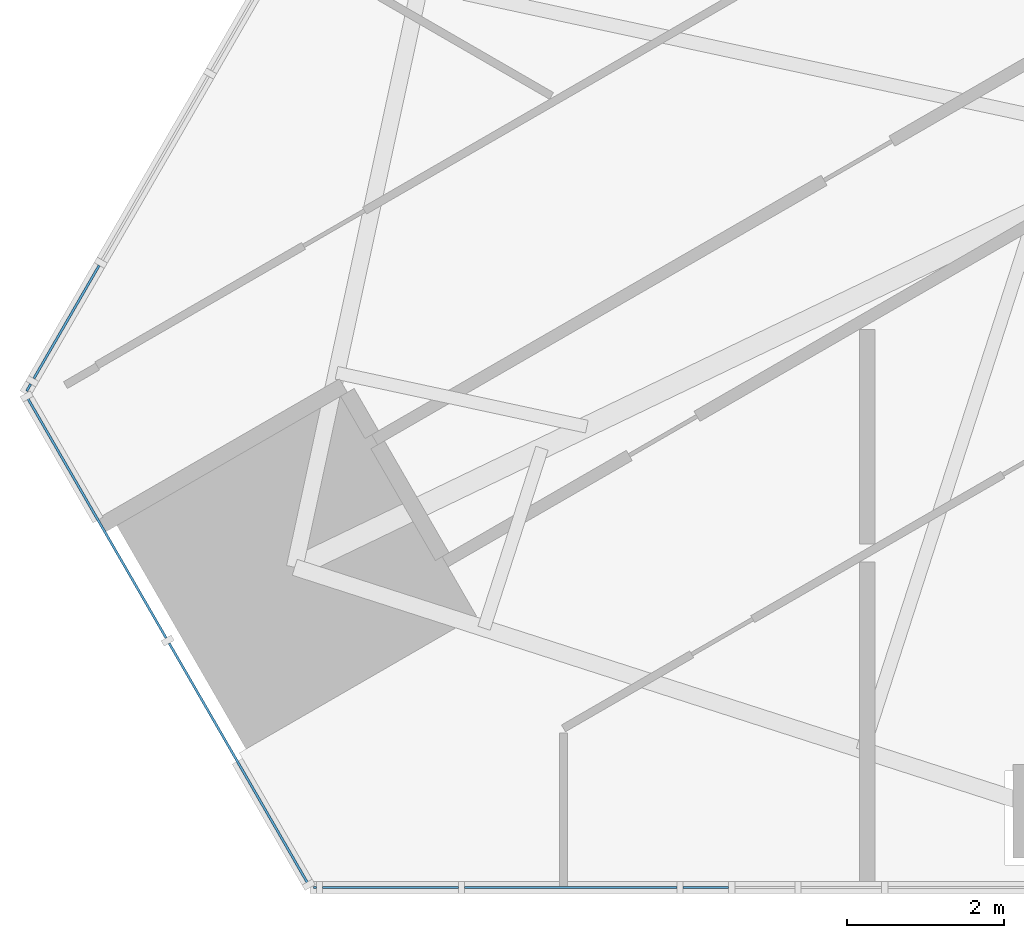
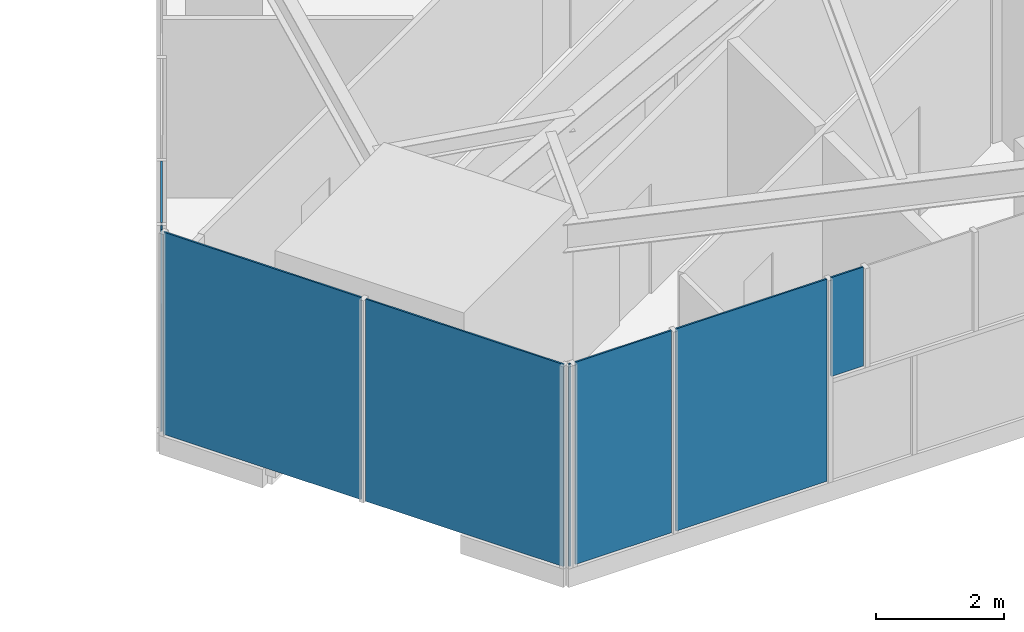
# One storey, part 12 of 29: 8 plates, 3 elements without a shape of their own.
"""IFC4 building model written with IfcOpenShell, lengths in metres."""

from ifc_helpers import new_model, si_unit, direction, frame, origin, place, context, subcontext, project, spatial, polyline, outline, extrude, material, layer, layer_set, type_object, element, aggregate, save


model = new_model("IFC4")

# Units and contexts
model_context = context("Model", 3, precision=1e-05, world=origin(), true_north=direction((0.0, 1.0)))
body_context = subcontext(model_context, "Body", "Model", "MODEL_VIEW")
ifc_project = project(units=[si_unit("LENGTHUNIT", "METRE"), si_unit("AREAUNIT", "SQUARE_METRE"), si_unit("VOLUMEUNIT", "CUBIC_METRE"), si_unit("PLANEANGLEUNIT", "RADIAN"), si_unit("MASSUNIT", "GRAM", prefix="KILO")], contexts=[model_context])

# Site, building, storey
site_placement = place(None, origin())
site = spatial("IfcSite", under=ifc_project, at=site_placement, CompositionType="ELEMENT")
building_placement = place(site_placement, origin())
building = spatial("IfcBuilding", under=site, at=building_placement, Name="Firuza Gate Tower and Library", CompositionType="ELEMENT")
storey_placement = place(building_placement, frame((0.0, 0.0, 82.0)))
storey = spatial("IfcBuildingStorey", under=building, at=storey_placement, Name="L18", CompositionType="ELEMENT", Elevation=82.0)

# Curtain wall, plates
ifc_material_1 = material(Name="Aluminium 6063-T6", Category="aluminium")
ifc_layer_1 = layer(ifc_material_1, 0.14990234375)
ifc_layer_set_1 = layer_set([ifc_layer_1], Name="Corner curtain wall, chamfers")
curtain_wall_type_1 = type_object("IfcCurtainWallType", Name="Corner curtain wall, chamfers", PredefinedType="NOTDEFINED", material=ifc_layer_set_1)
placement = place(storey_placement, origin())
curtain_wall_1 = element("IfcCurtainWall", 1, at=placement, inside=storey, type_object=curtain_wall_type_1, Name="CW4 L18 SW corner", PredefinedType="NOTDEFINED")
ifc_material_2 = material(Name="Fritted glass", Category="glass")
ifc_layer_2 = layer(ifc_material_2, 0.030029296875)
ifc_layer_set_2 = layer_set([ifc_layer_2], Name="Fritted glass unit, corners")
plate_type_1 = type_object("IfcPlateType", Name="Fritted glass unit, corners", PredefinedType="CURTAIN_PANEL", material=ifc_layer_set_2)
plate_1_placement = place(storey_placement, frame((43.011962890625, 60.6923828125, 0.14990234375), z_axis=(-0.866016723041, -0.500015035186, 0.0), x_axis=(0.500015035186, -0.866016723041, 0.0)))
plate_1 = element("IfcPlate", 2, at=plate_1_placement, type_object=plate_type_1, Name="Glass unit", PredefinedType="CURTAIN_PANEL", context=body_context, shape_type="SweptSolid", body=[
    extrude(outline(polyline([(0.0, 0.0), (3.5633694106530625, 0.0), (3.5633694106530625, 3.85009765625), (0.0, 3.85009765625), (0.0, 0.0)])), origin(), (0.0, 0.0, -1.0), 0.030029296875),
])
plate_2_placement = place(storey_placement, frame((44.833740234375, 57.537353515625, 0.14990234375), z_axis=(-0.866046390552, -0.49996364809, 0.0), x_axis=(0.49996364809, -0.866046390552, 0.0)))
plate_2 = element("IfcPlate", 3, at=plate_2_placement, type_object=plate_type_1, Name="Glass unit", PredefinedType="CURTAIN_PANEL", context=body_context, shape_type="SweptSolid", body=[
    extrude(outline(polyline([(0.0, 0.0), (3.563247342942594, 0.0), (3.563247342942594, 3.85009765625), (0.0, 3.85009765625), (0.0, 0.0)])), origin(), (0.0, 0.0, -1.0), 0.030029296875),
])
aggregate(curtain_wall_1, [plate_1, plate_2])

ifc_material_3 = material(Name="Aluminium 6063-T6", Category="aluminium")
ifc_layer_3 = layer(ifc_material_3, 0.14990234375)
ifc_layer_set_3 = layer_set([ifc_layer_3], Name="Unitised curtain wall, offices")
curtain_wall_type_2 = type_object("IfcCurtainWallType", Name="Unitised curtain wall, offices", PredefinedType="NOTDEFINED", material=ifc_layer_set_3)
curtain_wall_2 = element("IfcCurtainWall", 4, at=placement, inside=storey, type_object=curtain_wall_type_2, Name="CW1 L18 S face", PredefinedType="NOTDEFINED")
ifc_material_4 = material(Name="Fritted glass", Category="glass")
ifc_layer_4 = layer(ifc_material_4, 0.030029296875)
ifc_layer_set_4 = layer_set([ifc_layer_4], Name="Fritted glass unit, offices")
plate_type_2 = type_object("IfcPlateType", Name="Fritted glass unit, offices", PredefinedType="CURTAIN_PANEL", material=ifc_layer_set_4)
plate_3_placement = place(storey_placement, frame((46.806884765625, 54.4091796875, 0.14990234375), z_axis=(0.0, -1.0, 0.0), x_axis=(1.0, 0.0, 0.0)))
plate_3 = element("IfcPlate", 5, at=plate_3_placement, type_object=plate_type_2, Name="Glass unit", PredefinedType="CURTAIN_PANEL", context=body_context, shape_type="SweptSolid", body=[
    extrude(outline(polyline([(0.0, 0.0), (1.734619140625, 0.0), (1.734619140625, 3.85009765625), (0.0, 3.85009765625), (0.0, 0.0)])), origin(), (0.0, 0.0, -1.0), 0.030029296875),
])
plate_4_placement = place(storey_placement, frame((51.41357421875, 54.4091796875, 2.114990234375), z_axis=(0.0, -1.0, 0.0), x_axis=(1.0, 0.0, 0.0)))
plate_4 = element("IfcPlate", 6, at=plate_4_placement, type_object=plate_type_2, Name="Glass unit", PredefinedType="CURTAIN_PANEL", context=body_context, shape_type="SweptSolid", body=[
    extrude(outline(polyline([(0.0, 0.0), (0.580322265625, 0.0), (0.580322265625, 1.885009765625), (0.0, 1.885009765625), (0.0, 0.0)])), origin(), (0.0, 0.0, -1.0), 0.030029296875),
])

# Curtain wall, plate
curtain_wall_3 = element("IfcCurtainWall", 7, at=placement, inside=storey, type_object=curtain_wall_type_2, Name="CW1 L18 W face", PredefinedType="NOTDEFINED")
plate_5_placement = place(storey_placement, frame((43.9384765625, 62.381591796875, 0.14990234375), z_axis=(-0.866029728377, 0.499992509511, 0.0), x_axis=(-0.499992509511, -0.866029728377, 0.0)))
plate_5 = element("IfcPlate", 8, at=plate_5_placement, type_object=plate_type_2, Name="Glass unit", PredefinedType="CURTAIN_PANEL", context=body_context, shape_type="SweptSolid", body=[
    extrude(outline(polyline([(0.0, 0.0), (1.669458603873834, 0.0), (1.669458603873834, 3.850097656250001), (0.0, 3.850097656250001), (0.0, 0.0)])), origin(), (0.0, 0.0, -1.0), 0.030029296875),
])

# Plate
ifc_material_5 = material(Name="Glazed ceramic tile")
ifc_layer_5 = layer(ifc_material_5, 0.030029296875)
ifc_layer_set_5 = layer_set([ifc_layer_5], Name="Opaque ceramic panel, offices")
plate_type_3 = type_object("IfcPlateType", Name="Opaque ceramic panel, offices", PredefinedType="CURTAIN_PANEL", material=ifc_layer_set_5)
plate_6_placement = place(storey_placement, frame((46.688232421875, 54.4091796875, 0.14990234375), z_axis=(0.0, -1.0, 0.0), x_axis=(1.0, 0.0, 0.0)))
plate_6 = element("IfcPlate", 9, at=plate_6_placement, type_object=plate_type_3, Name="Opaque ceramic panel", PredefinedType="CURTAIN_PANEL", context=body_context, shape_type="SweptSolid", body=[
    extrude(outline(polyline([(0.0, 0.0), (0.03857421875, 0.0), (0.03857421875, 3.85009765625), (0.0, 3.85009765625), (0.0, 0.0)])), origin(), (0.0, 0.0, -1.0), 0.030029296875),
])

plate_7_placement = place(storey_placement, frame((48.621337890625, 54.4091796875, 0.14990234375), z_axis=(0.0, -1.0, 0.0), x_axis=(1.0, 0.0, 0.0)))
plate_7 = element("IfcPlate", 10, at=plate_7_placement, type_object=plate_type_3, Name="Opaque ceramic panel", PredefinedType="CURTAIN_PANEL", context=body_context, shape_type="SweptSolid", body=[
    extrude(outline(polyline([(0.0, 0.0), (2.712158203125, 0.0), (2.712158203125, 3.85009765625), (0.0, 3.85009765625), (0.0, 0.0)])), origin(), (0.0, 0.0, -1.0), 0.030029296875),
])

aggregate(curtain_wall_2, [plate_6, plate_3, plate_7, plate_4])

plate_8_placement = place(storey_placement, frame((43.063720703125, 60.866455078125, 0.14990234375), z_axis=(-0.866499015963, 0.499178780935, 0.0), x_axis=(-0.499178780935, -0.866499015963, 0.0)))
plate_8 = element("IfcPlate", 11, at=plate_8_placement, type_object=plate_type_3, Name="Opaque ceramic panel", PredefinedType="CURTAIN_PANEL", context=body_context, shape_type="SweptSolid", body=[
    extrude(outline(polyline([(0.0, 0.0), (0.10368592271300699, 0.0), (0.10368592271300699, 3.85009765625), (0.0, 3.85009765625), (0.0, 0.0)])), origin(), (0.0, 0.0, -1.0), 0.030029296875),
])

aggregate(curtain_wall_3, [plate_5, plate_8])

save(model, "model.ifc")
